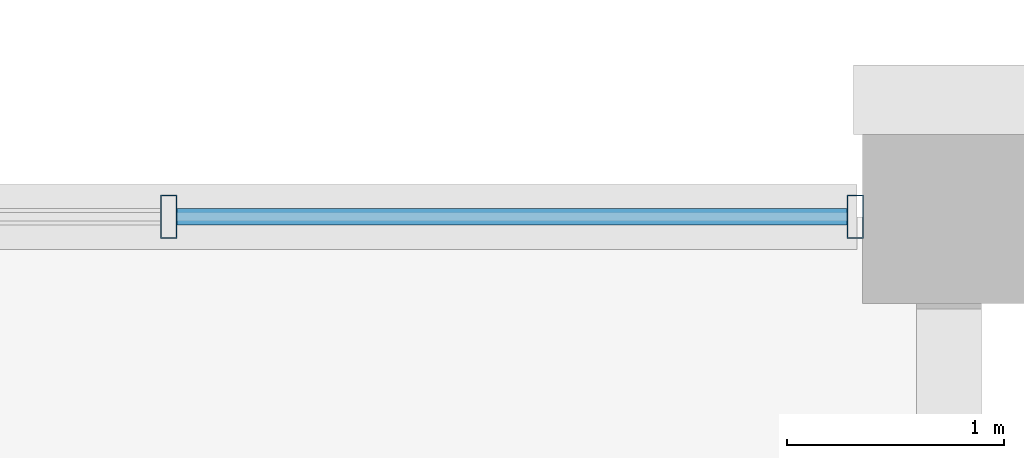
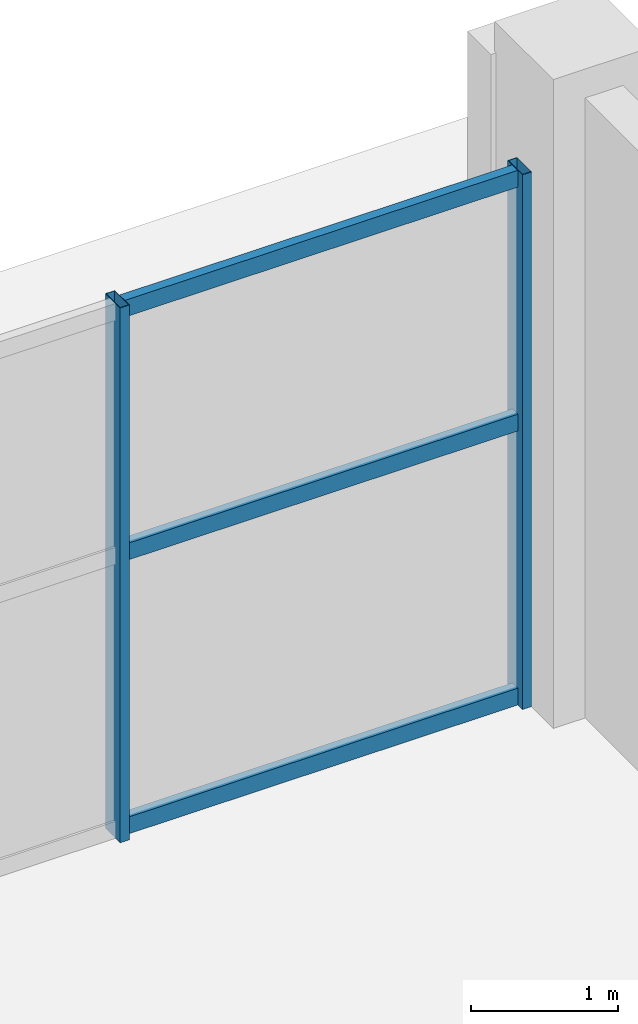
# One storey, part 51 of 90: 5 members, 1 element without a shape of its own.
"""IFC4 building model written with IfcOpenShell, lengths in metres."""

from ifc_helpers import new_model, si_unit, direction, frame, origin, origin_2d, place, context, subcontext, project, spatial, hollow_rectangle, extrude, material, layer, layer_set, material_profile, profile_set, type_object, element, aggregate, save


model = new_model("IFC4")

# Units and contexts
model_context = context("Model", 3, precision=1e-05, world=origin(), true_north=direction((0.0, 1.0)))
body_context = subcontext(model_context, "Body", "Model", "MODEL_VIEW")
ifc_project = project(units=[si_unit("LENGTHUNIT", "METRE"), si_unit("AREAUNIT", "SQUARE_METRE"), si_unit("VOLUMEUNIT", "CUBIC_METRE"), si_unit("PLANEANGLEUNIT", "RADIAN"), si_unit("MASSUNIT", "GRAM", prefix="KILO")], contexts=[model_context])

# Site, building, storey
site_placement = place(None, origin())
site = spatial("IfcSite", under=ifc_project, at=site_placement, CompositionType="ELEMENT")
building_placement = place(site_placement, origin())
building = spatial("IfcBuilding", under=site, at=building_placement, Name="Kangsadwip Square Police Headquarters", CompositionType="ELEMENT")
storey_placement = place(building_placement, origin())
storey = spatial("IfcBuildingStorey", under=building, at=storey_placement, Name="L00", CompositionType="ELEMENT", Elevation=0.0)

# Curtain wall, members
ifc_material_1 = material(Name="Thermally broken anodised aluminium AW-6063-T6", Category="aluminium")
ifc_layer = layer(ifc_material_1, 0.159912109375)
ifc_layer_set = layer_set([ifc_layer], Name="Thermally broken anodised aluminium AW-6063-T6")
curtain_wall_type = type_object("IfcCurtainWallType", Name="UnitisedCw6410x4450", PredefinedType="NOTDEFINED", material=ifc_layer_set)
curtain_wall_placement = place(storey_placement, origin())
curtain_wall = element("IfcCurtainWall", 1, at=curtain_wall_placement, inside=storey, type_object=curtain_wall_type, Name="Curtain Wall CW-L00-1588-1152", PredefinedType="NOTDEFINED")
ifc_material_2 = material(Name="Thermally broken anodised aluminium AW-6063-T6", Category="aluminium")
ifc_material_profile_1 = material_profile(ifc_material_2, hollow_rectangle(XDim=0.074951171875, YDim=0.199951171875, WallThickness=0.0048828125, at=origin_2d()), Name="CWM 200X75X5")
ifc_profile_set_1 = profile_set([ifc_material_profile_1], Name="Thermally broken anodised aluminium AW-6063-T6")
member_type_1 = type_object("IfcMemberType", Name="CwMullion180x75", PredefinedType="MULLION", material=ifc_profile_set_1)
member_1_placement = place(storey_placement, frame((162.0, 115.199951171875, 0.0), z_axis=(0.0, 0.0, 1.0), x_axis=(1.0, 0.0, 0.0)))
member_1 = element("IfcMember", 2, at=member_1_placement, type_object=member_type_1, Name="CW-12 mullion 2", PredefinedType="MULLION", context=body_context, shape_type="SweptSolid", body=[
    extrude(hollow_rectangle(XDim=0.074951171875, YDim=0.199951171875, WallThickness=0.0048828125, at=origin_2d()), origin(), (0.0, 0.0, 1.0), 4.449951171875),
])
member_2_placement = place(storey_placement, frame((165.16748046875, 115.199951171875, 0.0), z_axis=(0.0, 0.0, 1.0), x_axis=(1.0, 0.0, 0.0)))
member_2 = element("IfcMember", 3, at=member_2_placement, type_object=member_type_1, Name="CW-12 mullion 3", PredefinedType="MULLION", context=body_context, shape_type="SweptSolid", body=[
    extrude(hollow_rectangle(XDim=0.074951171875, YDim=0.199951171875, WallThickness=0.0048828125, at=origin_2d()), origin(), (0.0, 0.0, 1.0), 4.449951171875),
])
ifc_material_3 = material(Name="Thermally broken anodised aluminium AW-6063-T6", Category="aluminium")
ifc_material_profile_2 = material_profile(ifc_material_3, hollow_rectangle(XDim=0.074951171875, YDim=0.139892578125, WallThickness=0.0048828125, at=origin_2d()), Name="CWT 140X75X5")
ifc_profile_set_2 = profile_set([ifc_material_profile_2], Name="Thermally broken anodised aluminium AW-6063-T6")
member_type_2 = type_object("IfcMemberType", Name="CwTransom160x65", PredefinedType="USERDEFINED", material=ifc_profile_set_2)
member_3_placement = place(storey_placement, frame((162.03759765625, 115.199951171875, 0.070068359375), z_axis=(1.0, 0.0, 0.0), x_axis=(0.0, 1.0, 0.0)))
member_3 = element("IfcMember", 4, at=member_3_placement, type_object=member_type_2, Name="CW-12 transom 2.1", ObjectType="TRANSOM", PredefinedType="USERDEFINED", context=body_context, shape_type="SweptSolid", body=[
    extrude(hollow_rectangle(XDim=0.074951171875, YDim=0.139892578125, WallThickness=0.0048828125, at=origin_2d()), origin(), (0.0, 0.0, 1.0), 3.09228515625),
])
member_4_placement = place(storey_placement, frame((162.03759765625, 115.199951171875, 2.35009765625), z_axis=(1.0, 0.0, 0.0), x_axis=(0.0, 1.0, 0.0)))
member_4 = element("IfcMember", 5, at=member_4_placement, type_object=member_type_2, Name="CW-12 transom 2.2", ObjectType="TRANSOM", PredefinedType="USERDEFINED", context=body_context, shape_type="SweptSolid", body=[
    extrude(hollow_rectangle(XDim=0.074951171875, YDim=0.139892578125, WallThickness=0.0048828125, at=origin_2d()), origin(), (0.0, 0.0, 1.0), 3.09228515625),
])
member_5_placement = place(storey_placement, frame((162.03759765625, 115.199951171875, 4.3798828125), z_axis=(1.0, 0.0, 0.0), x_axis=(0.0, 1.0, 0.0)))
member_5 = element("IfcMember", 6, at=member_5_placement, type_object=member_type_2, Name="CW-12 transom 2.3", ObjectType="TRANSOM", PredefinedType="USERDEFINED", context=body_context, shape_type="SweptSolid", body=[
    extrude(hollow_rectangle(XDim=0.074951171875, YDim=0.139892578125, WallThickness=0.0048828125, at=origin_2d()), origin(), (0.0, 0.0, 1.0), 3.09228515625),
])
aggregate(curtain_wall, [member_1, member_2, member_3, member_4, member_5])

save(model, "model.ifc")
